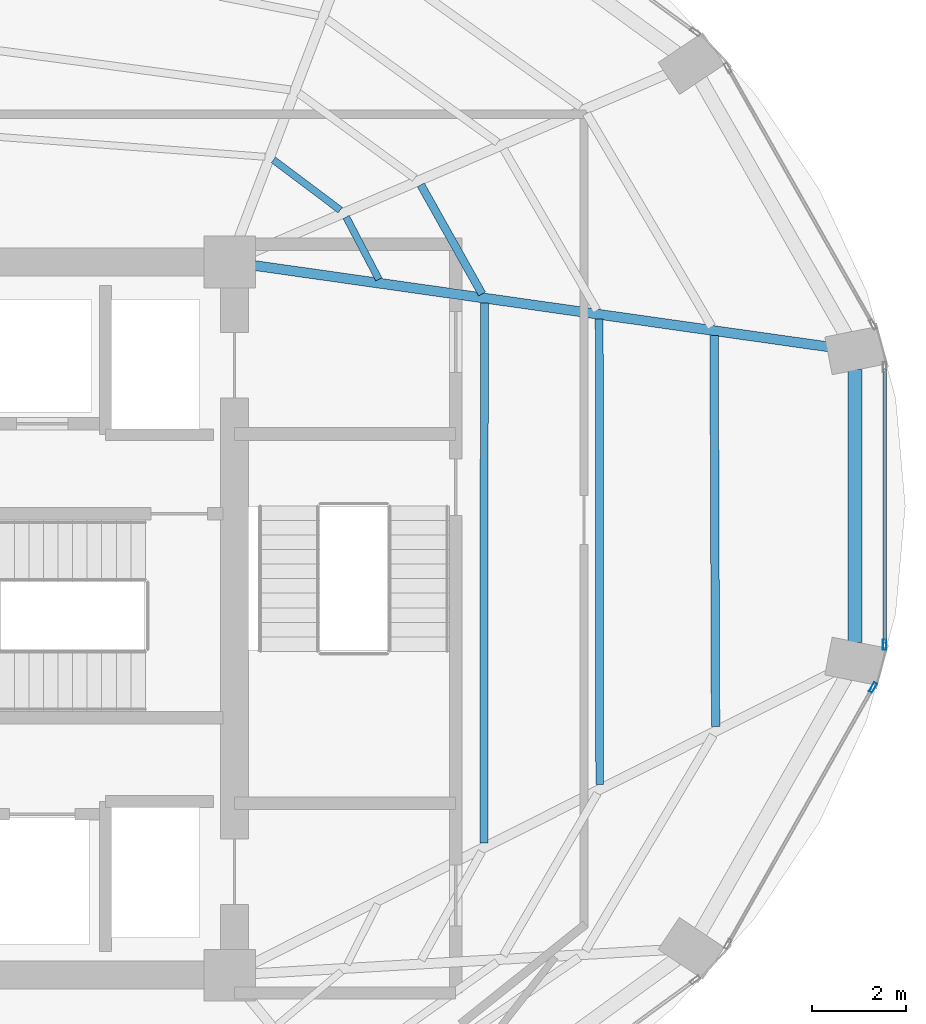
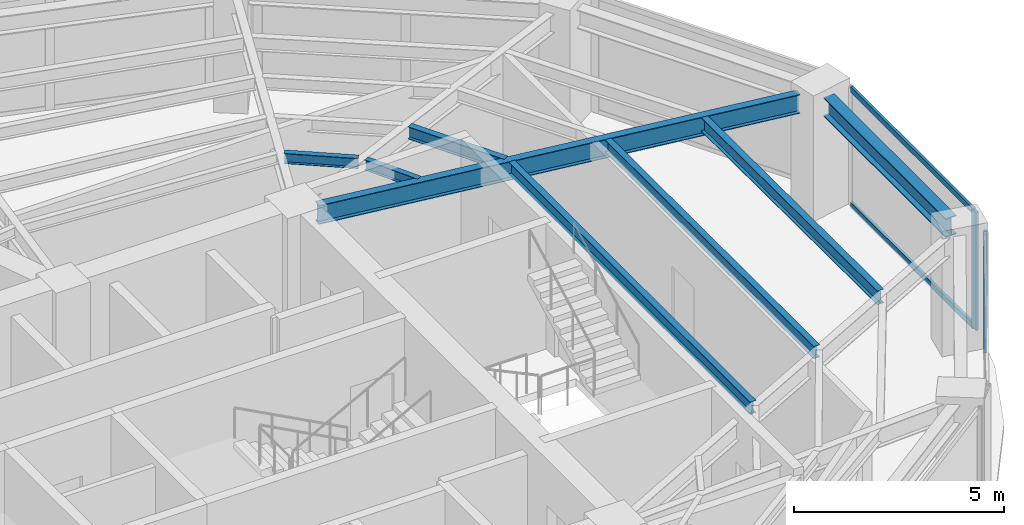
# One storey, part 10 of 20: 8 beams, 4 members, 2 elements without a shape of their own.
"""IFC4 building model written with IfcOpenShell, lengths in metres."""

from ifc_helpers import new_model, si_unit, direction, frame, origin, origin_2d, place, context, subcontext, project, spatial, hollow_rectangle, i_section, extrude, material, layer, layer_set, material_profile, profile_set, type_object, element, aggregate, save


model = new_model("IFC4")

# Units and contexts
model_context = context("Model", 3, precision=1e-05, world=origin(), true_north=direction((0.0, 1.0)))
body_context = subcontext(model_context, "Body", "Model", "MODEL_VIEW")
ifc_project = project(units=[si_unit("LENGTHUNIT", "METRE"), si_unit("AREAUNIT", "SQUARE_METRE"), si_unit("VOLUMEUNIT", "CUBIC_METRE"), si_unit("PLANEANGLEUNIT", "RADIAN"), si_unit("MASSUNIT", "GRAM", prefix="KILO")], contexts=[model_context])

# Site, building, storey
site_placement = place(None, origin())
site = spatial("IfcSite", under=ifc_project, at=site_placement, CompositionType="ELEMENT")
building_placement = place(site_placement, origin())
building = spatial("IfcBuilding", under=site, at=building_placement, Name="Lazwardi Medical Tower", CompositionType="ELEMENT")
storey_placement = place(building_placement, frame((0.0, 0.0, 178.416015625)))
storey = spatial("IfcBuildingStorey", under=building, at=storey_placement, Name="L46", CompositionType="ELEMENT", Elevation=178.416015625)

# Beams
ifc_material_1 = material(Name="Steel S355", Category="steel")
ifc_material_profile_1 = material_profile(ifc_material_1, i_section(OverallWidth=0.300048828125, OverallDepth=0.550048828125, WebThickness=0.014892578125, FlangeThickness=0.029052734375, at=origin_2d()), Name="HEB 550")
ifc_profile_set_1 = profile_set([ifc_material_profile_1], Name="Steel S355")
beam_type_1 = type_object("IfcBeamType", Name="BM-RB-Z3", PredefinedType="BEAM", material=ifc_profile_set_1)
beam_1_placement = place(storey_placement, frame((58.92578125, 27.48828125, 3.153076171875), z_axis=(0.0, 1.0, 0.0), x_axis=(-1.0, 0.0, 0.0)))
element("IfcBeam", 1, at=beam_1_placement, inside=storey, type_object=beam_type_1, Name="Ring beam RB-04 B04 L46", PredefinedType="BEAM", context=body_context, shape_type="SweptSolid", body=[
    extrude(i_section(OverallWidth=0.300048828125, OverallDepth=0.550048828125, WebThickness=0.014892578125, FlangeThickness=0.029052734375, at=origin_2d()), origin(), (0.0, 0.0, 1.0), 5.823486328125),
])
ifc_material_profile_2 = material_profile(ifc_material_1, i_section(OverallWidth=0.2099609375, OverallDepth=0.550048828125, WebThickness=0.010986328125, FlangeThickness=0.01708984375, at=origin_2d()), Name="IPE 550")
ifc_profile_set_2 = profile_set([ifc_material_profile_2], Name="Steel S355")
beam_type_2 = type_object("IfcBeamType", Name="BM-RG-W2", PredefinedType="BEAM", material=ifc_profile_set_2)
beam_2_placement = place(storey_placement, frame((58.371337890625, 33.790283203125, 3.153076171875), z_axis=(-0.99010958763, 0.140296131389, 0.0), x_axis=(-0.140296131389, -0.99010958763, 0.0)))
element("IfcBeam", 2, at=beam_2_placement, inside=storey, type_object=beam_type_2, Name="Radial girder RG-03 R05 L46", PredefinedType="BEAM", context=body_context, shape_type="SweptSolid", body=[
    extrude(i_section(OverallWidth=0.2099609375, OverallDepth=0.550048828125, WebThickness=0.010986328125, FlangeThickness=0.01708984375, at=origin_2d()), origin(), (0.0, 0.0, 1.0), 12.364013671875),
])
ifc_material_profile_3 = material_profile(ifc_material_1, i_section(OverallWidth=0.179931640625, OverallDepth=0.39990234375, WebThickness=0.008544921875, FlangeThickness=0.013427734375, at=origin_2d()), Name="IPE 400")
ifc_profile_set_3 = profile_set([ifc_material_profile_3], Name="Steel S355")
beam_type_3 = type_object("IfcBeamType", Name="BM-SJ-01", PredefinedType="JOIST", material=ifc_profile_set_3)
beam_3_placement = place(storey_placement, frame((55.95556640625, 25.69775390625, 3.22802734375), z_axis=(-0.003864366017, 0.99999253331, 0.0), x_axis=(-0.99999253331, -0.003864366017, 0.0)))
element("IfcBeam", 3, at=beam_3_placement, inside=storey, type_object=beam_type_3, Name="Secondary joist SJ-01 R1 B04 L46", PredefinedType="JOIST", context=body_context, shape_type="SweptSolid", body=[
    extrude(i_section(OverallWidth=0.179931640625, OverallDepth=0.39990234375, WebThickness=0.008544921875, FlangeThickness=0.013427734375, at=origin_2d()), origin(), (0.0, 0.0, 1.0), 8.33935546875),
])
ifc_material_profile_4 = material_profile(ifc_material_1, i_section(OverallWidth=0.169921875, OverallDepth=0.360107421875, WebThickness=0.008056640625, FlangeThickness=0.0126953125, at=origin_2d()), Name="IPE 360")
ifc_profile_set_4 = profile_set([ifc_material_profile_4], Name="Steel S355")
beam_type_4 = type_object("IfcBeamType", Name="BM-SJ-02", PredefinedType="JOIST", material=ifc_profile_set_4)
beam_4_placement = place(storey_placement, frame((53.486328125, 24.458251953125, 3.248046875), z_axis=(-0.001156040156, 0.999999331785, 0.0), x_axis=(-0.999999331785, -0.001156040156, 0.0)))
element("IfcBeam", 4, at=beam_4_placement, inside=storey, type_object=beam_type_4, Name="Secondary joist SJ-02 R2 B04 L46", PredefinedType="JOIST", context=body_context, shape_type="SweptSolid", body=[
    extrude(i_section(OverallWidth=0.169921875, OverallDepth=0.360107421875, WebThickness=0.008056640625, FlangeThickness=0.0126953125, at=origin_2d()), origin(), (0.0, 0.0, 1.0), 9.92578125),
])
beam_5_placement = place(storey_placement, frame((51.01708984375, 23.21875, 3.248046875), z_axis=(0.000805852776, 0.999999675301, 0.0), x_axis=(-0.999999675301, 0.000805852776, 0.0)))
element("IfcBeam", 5, at=beam_5_placement, inside=storey, type_object=beam_type_4, Name="Secondary joist SJ-02 R3 B04 L46", PredefinedType="JOIST", context=body_context, shape_type="SweptSolid", body=[
    extrude(i_section(OverallWidth=0.169921875, OverallDepth=0.360107421875, WebThickness=0.008056640625, FlangeThickness=0.0126953125, at=origin_2d()), origin(), (0.0, 0.0, 1.0), 11.512451171875),
])
beam_6_placement = place(storey_placement, frame((50.977294921875, 34.918212890625, 3.248046875), z_axis=(-0.489408945026, 0.872054404569, 0.0), x_axis=(-0.872054404569, -0.489408945026, 0.0)))
element("IfcBeam", 6, at=beam_6_placement, inside=storey, type_object=beam_type_4, Name="Secondary joist SJ-02 R3 B05 L46", PredefinedType="JOIST", context=body_context, shape_type="SweptSolid", body=[
    extrude(i_section(OverallWidth=0.169921875, OverallDepth=0.360107421875, WebThickness=0.008056640625, FlangeThickness=0.0126953125, at=origin_2d()), origin(), (0.0, 0.0, 1.0), 2.666259765625),
])
ifc_material_profile_5 = material_profile(ifc_material_1, i_section(OverallWidth=0.14990234375, OverallDepth=0.300048828125, WebThickness=0.007080078125, FlangeThickness=0.0107421875, at=origin_2d()), Name="IPE 300")
ifc_profile_set_5 = profile_set([ifc_material_profile_5], Name="Steel S355")
beam_type_5 = type_object("IfcBeamType", Name="BM-SJ-03", PredefinedType="JOIST", material=ifc_profile_set_5)
beam_7_placement = place(storey_placement, frame((48.7763671875, 35.231689453125, 3.278076171875), z_axis=(-0.464469748171, 0.885588986513, 0.0), x_axis=(-0.885588986513, -0.464469748171, 0.0)))
element("IfcBeam", 7, at=beam_7_placement, inside=storey, type_object=beam_type_5, Name="Secondary joist SJ-03 R4 B05 L46", PredefinedType="JOIST", context=body_context, shape_type="SweptSolid", body=[
    extrude(i_section(OverallWidth=0.14990234375, OverallDepth=0.300048828125, WebThickness=0.007080078125, FlangeThickness=0.0107421875, at=origin_2d()), origin(), (0.0, 0.0, 1.0), 1.498046875),
])
beam_8_placement = place(storey_placement, frame((47.9541015625, 36.70703125, 3.278076171875), z_axis=(-0.799884834751, 0.600153522972, 0.0), x_axis=(-0.600153522972, -0.799884834751, 0.0)))
element("IfcBeam", 8, at=beam_8_placement, inside=storey, type_object=beam_type_5, Name="Secondary joist SJ-03 R4 B06 L46", PredefinedType="JOIST", context=body_context, shape_type="SweptSolid", body=[
    extrude(i_section(OverallWidth=0.14990234375, OverallDepth=0.300048828125, WebThickness=0.007080078125, FlangeThickness=0.0107421875, at=origin_2d()), origin(), (0.0, 0.0, 1.0), 1.781005859375),
])

# Curtain wall, member
ifc_material_2 = material(Name="Anodised bronze aluminium and solar control glazing", Category="aluminium")
ifc_layer = layer(ifc_material_2, 0.195068359375)
ifc_layer_set = layer_set([ifc_layer], Name="Anodised bronze aluminium and solar control glazing")
curtain_wall_type = type_object("IfcCurtainWallType", Name="CW-SYS-03", PredefinedType="NOTDEFINED", material=ifc_layer_set)
curtain_wall_1_placement = place(storey_placement, origin())
curtain_wall_1 = element("IfcCurtainWall", 9, at=curtain_wall_1_placement, inside=storey, type_object=curtain_wall_type, Name="L46 Unitised bronze curtain wall CW-03", PredefinedType="NOTDEFINED")
ifc_material_3 = material(Name="Anodised bronze aluminium", Category="aluminium")
ifc_material_profile_6 = material_profile(ifc_material_3, hollow_rectangle(XDim=0.074951171875, YDim=0.219970703125, WallThickness=0.00390625, at=origin_2d()), Name="ALU-MULLION 220x75x4")
ifc_profile_set_6 = profile_set([ifc_material_profile_6], Name="Anodised bronze aluminium")
member_type_1 = type_object("IfcMemberType", Name="CW-MUL-01", PredefinedType="MULLION", material=ifc_profile_set_6)
member_1_placement = place(storey_placement, frame((59.31103515625, 26.53271484375, 0.0), z_axis=(0.0, 0.0, 1.0), x_axis=(-0.870418989303, 0.492311672683, 0.0)))
member_1 = element("IfcMember", 10, at=member_1_placement, type_object=member_type_1, Name="CW-03 mullion 2", PredefinedType="MULLION", context=body_context, shape_type="SweptSolid", body=[
    extrude(hollow_rectangle(XDim=0.074951171875, YDim=0.219970703125, WallThickness=0.00390625, at=origin_2d()), origin(), (0.0, 0.0, 1.0), 3.427978515625),
])
aggregate(curtain_wall_1, [member_1])

# Curtain wall, members
curtain_wall_2_placement = place(storey_placement, origin())
curtain_wall_2 = element("IfcCurtainWall", 11, at=curtain_wall_2_placement, inside=storey, type_object=curtain_wall_type, Name="L46 Unitised bronze curtain wall CW-03", PredefinedType="NOTDEFINED")
member_2_placement = place(storey_placement, frame((59.5576171875, 27.442138671875, 0.0), z_axis=(0.0, 0.0, 1.0), x_axis=(-1.0, 0.0, 0.0)))
member_2 = element("IfcMember", 12, at=member_2_placement, type_object=member_type_1, Name="CW-03 mullion 1", PredefinedType="MULLION", context=body_context, shape_type="SweptSolid", body=[
    extrude(hollow_rectangle(XDim=0.074951171875, YDim=0.219970703125, WallThickness=0.00390625, at=origin_2d()), origin(), (0.0, 0.0, 1.0), 3.427978515625),
])
ifc_material_profile_7 = material_profile(ifc_material_3, hollow_rectangle(XDim=0.074951171875, YDim=0.159912109375, WallThickness=0.00390625, at=origin_2d()), Name="ALU-TRANSOM 160x75x4")
ifc_profile_set_7 = profile_set([ifc_material_profile_7], Name="Anodised bronze aluminium")
member_type_2 = type_object("IfcMemberType", Name="CW-TRN-01", PredefinedType="USERDEFINED", material=ifc_profile_set_7)
member_3_placement = place(storey_placement, frame((59.5576171875, 27.4794921875, 0.03759765625), z_axis=(0.0, 1.0, 0.0), x_axis=(-1.0, 0.0, 0.0)))
member_3 = element("IfcMember", 13, at=member_3_placement, type_object=member_type_2, Name="CW-03 transom 1.1", ObjectType="TRANSOM", PredefinedType="USERDEFINED", context=body_context, shape_type="SweptSolid", body=[
    extrude(hollow_rectangle(XDim=0.074951171875, YDim=0.159912109375, WallThickness=0.00390625, at=origin_2d()), origin(), (0.0, 0.0, 1.0), 5.8408203125),
])
member_4_placement = place(storey_placement, frame((59.5576171875, 27.4794921875, 3.390380859375), z_axis=(0.0, 1.0, 0.0), x_axis=(-1.0, 0.0, 0.0)))
member_4 = element("IfcMember", 14, at=member_4_placement, type_object=member_type_2, Name="CW-03 transom 1.2", ObjectType="TRANSOM", PredefinedType="USERDEFINED", context=body_context, shape_type="SweptSolid", body=[
    extrude(hollow_rectangle(XDim=0.074951171875, YDim=0.159912109375, WallThickness=0.00390625, at=origin_2d()), origin(), (0.0, 0.0, 1.0), 5.8408203125),
])
aggregate(curtain_wall_2, [member_2, member_3, member_4])

save(model, "model.ifc")
